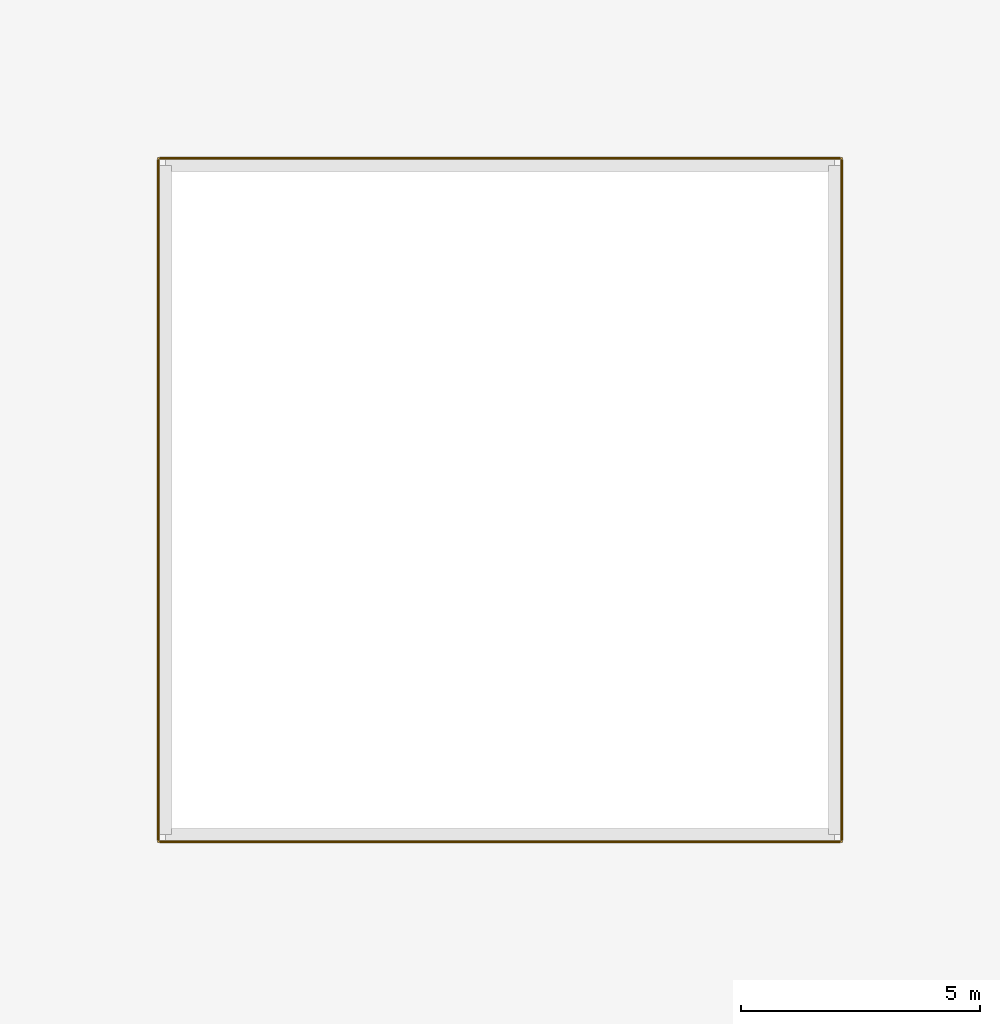
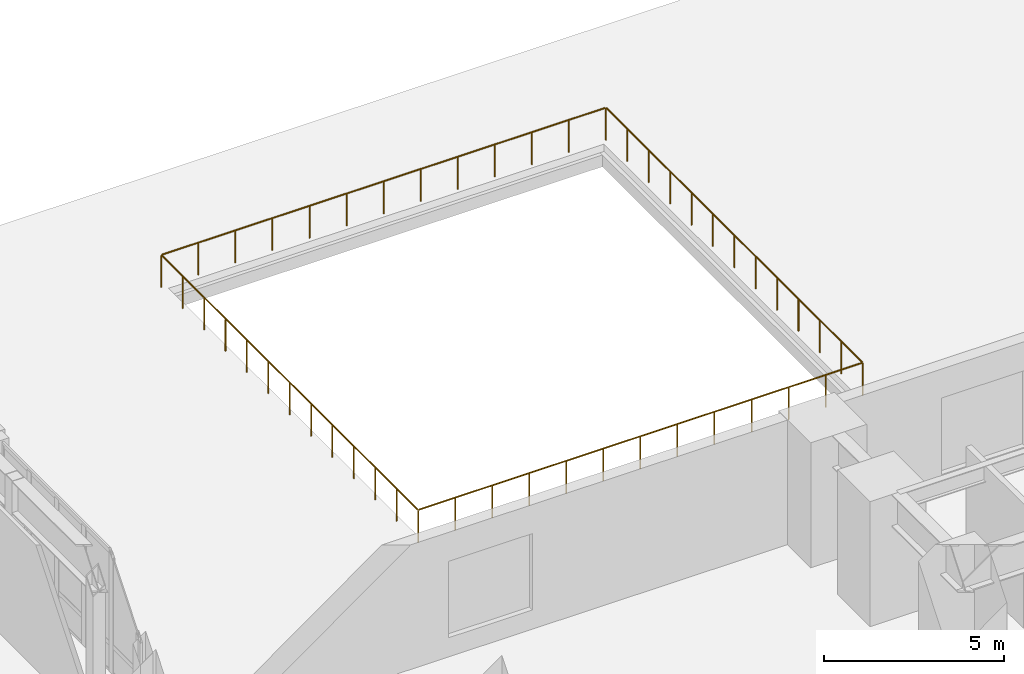
# One storey, part 22 of 23: 1 railing.
"""IFC4 building model written with IfcOpenShell, lengths in metres."""

from ifc_helpers import new_model, si_unit, direction, frame, origin, origin_2d, place, context, subcontext, project, spatial, circle, extrude, source, transform, mapped, material, layer, layer_set, type_object, element, save


model = new_model("IFC4")

# Units and contexts
model_context = context("Model", 3, precision=1e-05, world=origin(), true_north=direction((0.0, 1.0)))
body_context = subcontext(model_context, "Body", "Model", "MODEL_VIEW")
ifc_project = project(units=[si_unit("LENGTHUNIT", "METRE"), si_unit("AREAUNIT", "SQUARE_METRE"), si_unit("VOLUMEUNIT", "CUBIC_METRE"), si_unit("PLANEANGLEUNIT", "RADIAN"), si_unit("MASSUNIT", "GRAM", prefix="KILO")], contexts=[model_context])

# Site, building, storey
site_placement = place(None, origin())
site = spatial("IfcSite", under=ifc_project, at=site_placement, CompositionType="ELEMENT")
building_placement = place(site_placement, origin())
building = spatial("IfcBuilding", under=site, at=building_placement, Name="Kharzan Plaza Tower", CompositionType="ELEMENT")
storey_placement = place(building_placement, origin())
storey = spatial("IfcBuildingStorey", under=building, at=storey_placement, Name="L00", CompositionType="ELEMENT", Elevation=0.0)

# Railing
ifc_material = material(Name="Painted Galvanized Architectural Steel", Category="steel")
ifc_layer = layer(ifc_material, 0.074951171875)
ifc_layer_set = layer_set([ifc_layer], Name="Painted Galvanized Architectural Steel")
railing_type = type_object("IfcRailingType", Name="RL-GUARD-1120", PredefinedType="BALUSTRADE", material=ifc_layer_set)
shared_shape = source(origin(), body_context, "Body", "SweptSolid", [
    extrude(circle(Radius=0.02392578125, at=origin_2d()), frame((0.0263671875, 0.0, 1.09619140625), z_axis=(1.0, 0.0, 0.0), x_axis=(0.0, 1.0, 0.0)), (0.0, 0.0, 1.0), 14.246826171875),
    extrude(circle(Radius=0.02392578125, at=origin_2d()), frame((14.2998046875, 0.0263671875, 1.09619140625), z_axis=(0.0, 1.0, 0.0), x_axis=(-1.0, 0.0, 0.0)), (0.0, 0.0, 1.0), 14.246826171875),
    extrude(circle(Radius=0.02392578125, at=origin_2d()), frame((14.2734375, 14.2998046875, 1.09619140625), z_axis=(-1.0, 0.0, 0.0), x_axis=(0.0, -1.0, 0.0)), (0.0, 0.0, 1.0), 14.246826171875),
    extrude(circle(Radius=0.02392578125, at=origin_2d()), frame((0.0, 14.2734375, 1.09619140625), z_axis=(0.0, -1.0, 0.0), x_axis=(1.0, 0.0, 0.0)), (0.0, 0.0, 1.0), 14.246826171875),
    extrude(circle(Radius=0.02099609375, at=origin_2d()), origin(), (0.0, 0.0, 1.0), 1.072021484375),
    extrude(circle(Radius=0.02099609375, at=origin_2d()), frame((1.191650390625, 0.0, 0.0)), (0.0, 0.0, 1.0), 1.072021484375),
    extrude(circle(Radius=0.02099609375, at=origin_2d()), frame((2.38330078125, 0.0, 0.0)), (0.0, 0.0, 1.0), 1.072021484375),
    extrude(circle(Radius=0.02099609375, at=origin_2d()), frame((3.574951171875, 0.0, 0.0)), (0.0, 0.0, 1.0), 1.072021484375),
    extrude(circle(Radius=0.02099609375, at=origin_2d()), frame((4.7666015625, 0.0, 0.0)), (0.0, 0.0, 1.0), 1.072021484375),
    extrude(circle(Radius=0.02099609375, at=origin_2d()), frame((5.958251953125, 0.0, 0.0)), (0.0, 0.0, 1.0), 1.072021484375),
    extrude(circle(Radius=0.02099609375, at=origin_2d()), frame((7.14990234375, 0.0, 0.0)), (0.0, 0.0, 1.0), 1.072021484375),
    extrude(circle(Radius=0.02099609375, at=origin_2d()), frame((8.341552734375, 0.0, 0.0)), (0.0, 0.0, 1.0), 1.072021484375),
    extrude(circle(Radius=0.02099609375, at=origin_2d()), frame((9.533203125, 0.0, 0.0)), (0.0, 0.0, 1.0), 1.072021484375),
    extrude(circle(Radius=0.02099609375, at=origin_2d()), frame((10.724853515625, 0.0, 0.0)), (0.0, 0.0, 1.0), 1.072021484375),
    extrude(circle(Radius=0.02099609375, at=origin_2d()), frame((11.91650390625, 0.0, 0.0)), (0.0, 0.0, 1.0), 1.072021484375),
    extrude(circle(Radius=0.02099609375, at=origin_2d()), frame((13.108154296875, 0.0, 0.0)), (0.0, 0.0, 1.0), 1.072021484375),
    extrude(circle(Radius=0.02099609375, at=origin_2d()), frame((14.2998046875, 0.0, 0.0)), (0.0, 0.0, 1.0), 1.072021484375),
    extrude(circle(Radius=0.02099609375, at=origin_2d()), frame((14.2998046875, 1.191650390625, 0.0)), (0.0, 0.0, 1.0), 1.072021484375),
    extrude(circle(Radius=0.02099609375, at=origin_2d()), frame((14.2998046875, 2.38330078125, 0.0)), (0.0, 0.0, 1.0), 1.072021484375),
    extrude(circle(Radius=0.02099609375, at=origin_2d()), frame((14.2998046875, 3.574951171875, 0.0)), (0.0, 0.0, 1.0), 1.072021484375),
    extrude(circle(Radius=0.02099609375, at=origin_2d()), frame((14.2998046875, 4.7666015625, 0.0)), (0.0, 0.0, 1.0), 1.072021484375),
    extrude(circle(Radius=0.02099609375, at=origin_2d()), frame((14.2998046875, 5.958251953125, 0.0)), (0.0, 0.0, 1.0), 1.072021484375),
    extrude(circle(Radius=0.02099609375, at=origin_2d()), frame((14.2998046875, 7.14990234375, 0.0)), (0.0, 0.0, 1.0), 1.072021484375),
    extrude(circle(Radius=0.02099609375, at=origin_2d()), frame((14.2998046875, 8.341552734375, 0.0)), (0.0, 0.0, 1.0), 1.072021484375),
    extrude(circle(Radius=0.02099609375, at=origin_2d()), frame((14.2998046875, 9.533203125, 0.0)), (0.0, 0.0, 1.0), 1.072021484375),
    extrude(circle(Radius=0.02099609375, at=origin_2d()), frame((14.2998046875, 10.724853515625, 0.0)), (0.0, 0.0, 1.0), 1.072021484375),
    extrude(circle(Radius=0.02099609375, at=origin_2d()), frame((14.2998046875, 11.91650390625, 0.0)), (0.0, 0.0, 1.0), 1.072021484375),
    extrude(circle(Radius=0.02099609375, at=origin_2d()), frame((14.2998046875, 13.108154296875, 0.0)), (0.0, 0.0, 1.0), 1.072021484375),
    extrude(circle(Radius=0.02099609375, at=origin_2d()), frame((14.2998046875, 14.2998046875, 0.0)), (0.0, 0.0, 1.0), 1.072021484375),
    extrude(circle(Radius=0.02099609375, at=origin_2d()), frame((13.108154296875, 14.2998046875, 0.0)), (0.0, 0.0, 1.0), 1.072021484375),
    extrude(circle(Radius=0.02099609375, at=origin_2d()), frame((11.91650390625, 14.2998046875, 0.0)), (0.0, 0.0, 1.0), 1.072021484375),
    extrude(circle(Radius=0.02099609375, at=origin_2d()), frame((10.724853515625, 14.2998046875, 0.0)), (0.0, 0.0, 1.0), 1.072021484375),
    extrude(circle(Radius=0.02099609375, at=origin_2d()), frame((9.533203125, 14.2998046875, 0.0)), (0.0, 0.0, 1.0), 1.072021484375),
    extrude(circle(Radius=0.02099609375, at=origin_2d()), frame((8.341552734375, 14.2998046875, 0.0)), (0.0, 0.0, 1.0), 1.072021484375),
    extrude(circle(Radius=0.02099609375, at=origin_2d()), frame((7.14990234375, 14.2998046875, 0.0)), (0.0, 0.0, 1.0), 1.072021484375),
    extrude(circle(Radius=0.02099609375, at=origin_2d()), frame((5.958251953125, 14.2998046875, 0.0)), (0.0, 0.0, 1.0), 1.072021484375),
    extrude(circle(Radius=0.02099609375, at=origin_2d()), frame((4.7666015625, 14.2998046875, 0.0)), (0.0, 0.0, 1.0), 1.072021484375),
    extrude(circle(Radius=0.02099609375, at=origin_2d()), frame((3.574951171875, 14.2998046875, 0.0)), (0.0, 0.0, 1.0), 1.072021484375),
    extrude(circle(Radius=0.02099609375, at=origin_2d()), frame((2.38330078125, 14.2998046875, 0.0)), (0.0, 0.0, 1.0), 1.072021484375),
    extrude(circle(Radius=0.02099609375, at=origin_2d()), frame((1.191650390625, 14.2998046875, 0.0)), (0.0, 0.0, 1.0), 1.072021484375),
    extrude(circle(Radius=0.02099609375, at=origin_2d()), frame((0.0, 14.2998046875, 0.0)), (0.0, 0.0, 1.0), 1.072021484375),
    extrude(circle(Radius=0.02099609375, at=origin_2d()), frame((0.0, 13.108154296875, 0.0)), (0.0, 0.0, 1.0), 1.072021484375),
    extrude(circle(Radius=0.02099609375, at=origin_2d()), frame((0.0, 11.91650390625, 0.0)), (0.0, 0.0, 1.0), 1.072021484375),
    extrude(circle(Radius=0.02099609375, at=origin_2d()), frame((0.0, 10.724853515625, 0.0)), (0.0, 0.0, 1.0), 1.072021484375),
    extrude(circle(Radius=0.02099609375, at=origin_2d()), frame((0.0, 9.533203125, 0.0)), (0.0, 0.0, 1.0), 1.072021484375),
    extrude(circle(Radius=0.02099609375, at=origin_2d()), frame((0.0, 8.341552734375, 0.0)), (0.0, 0.0, 1.0), 1.072021484375),
    extrude(circle(Radius=0.02099609375, at=origin_2d()), frame((0.0, 7.14990234375, 0.0)), (0.0, 0.0, 1.0), 1.072021484375),
    extrude(circle(Radius=0.02099609375, at=origin_2d()), frame((0.0, 5.958251953125, 0.0)), (0.0, 0.0, 1.0), 1.072021484375),
    extrude(circle(Radius=0.02099609375, at=origin_2d()), frame((0.0, 4.7666015625, 0.0)), (0.0, 0.0, 1.0), 1.072021484375),
    extrude(circle(Radius=0.02099609375, at=origin_2d()), frame((0.0, 3.574951171875, 0.0)), (0.0, 0.0, 1.0), 1.072021484375),
    extrude(circle(Radius=0.02099609375, at=origin_2d()), frame((0.0, 2.38330078125, 0.0)), (0.0, 0.0, 1.0), 1.072021484375),
    extrude(circle(Radius=0.02099609375, at=origin_2d()), frame((0.0, 1.191650390625, 0.0)), (0.0, 0.0, 1.0), 1.072021484375),
])
railing_placement = place(storey_placement, frame((37.85009765625, 30.85009765625, 0.0)))
element("IfcRailing", 1, at=railing_placement, inside=storey, type_object=railing_type, Name="L00 Plaza Oculus Void Perimeter Guard Balustrade", PredefinedType="BALUSTRADE", context=body_context, shape_type="MappedRepresentation", body=[
    mapped(shared_shape, transform((0.0, 0.0, 0.0), x_axis=(1.0, 0.0, 0.0), y_axis=(0.0, 1.0, 0.0), z_axis=(0.0, 0.0, 1.0))),
])

save(model, "model.ifc")
